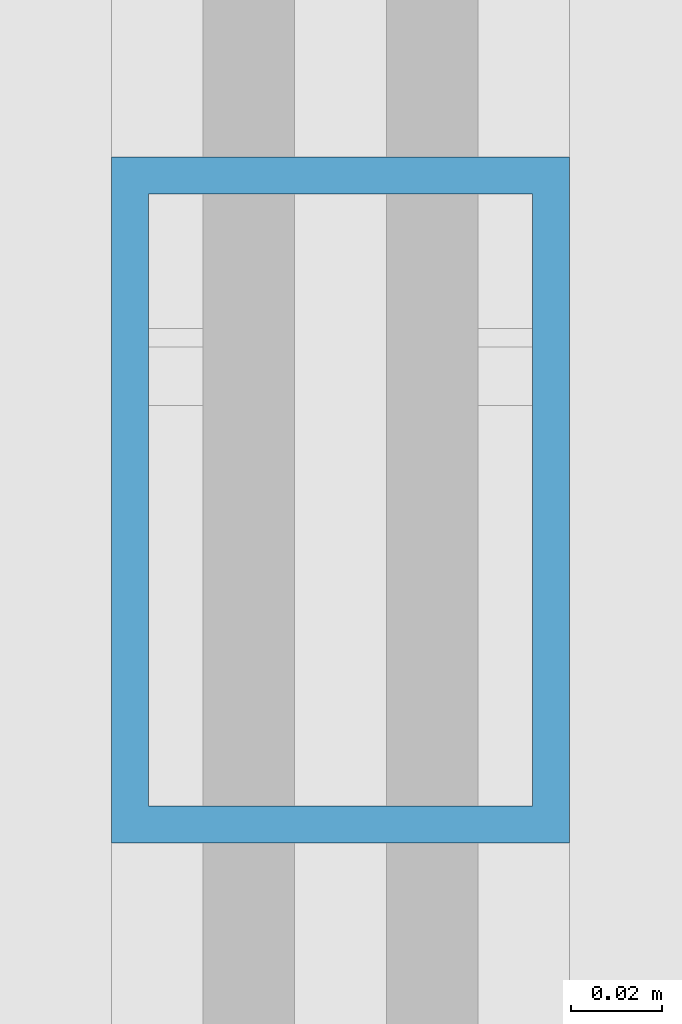
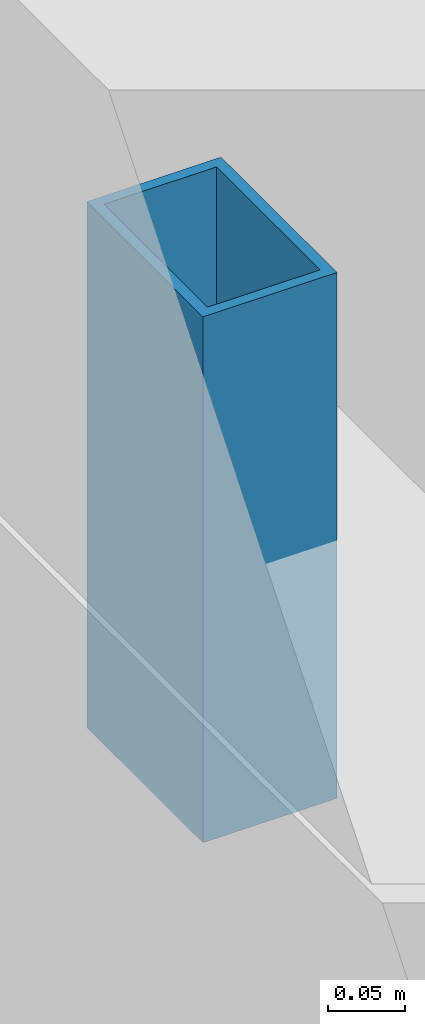
# One storey, part 59 of 138: 1 member.
"""IFC4 building model written with IfcOpenShell, lengths in metres."""

from ifc_helpers import new_model, si_unit, direction, frame, origin, origin_2d, place, context, subcontext, project, spatial, hollow_rectangle, extrude, material, material_profile, profile_set, type_object, element, save


model = new_model("IFC4")

# Units and contexts
model_context = context("Model", 3, precision=1e-05, world=origin(), true_north=direction((0.0, 1.0)))
body_context = subcontext(model_context, "Body", "Model", "MODEL_VIEW")
ifc_project = project(units=[si_unit("LENGTHUNIT", "METRE"), si_unit("AREAUNIT", "SQUARE_METRE"), si_unit("VOLUMEUNIT", "CUBIC_METRE"), si_unit("PLANEANGLEUNIT", "RADIAN"), si_unit("MASSUNIT", "GRAM", prefix="KILO"), si_unit("THERMODYNAMICTEMPERATUREUNIT", "KELVIN"), si_unit("POWERUNIT", "WATT")], contexts=[model_context])

# Site, building, storey
site_placement = place(None, origin())
site = spatial("IfcSite", under=ifc_project, at=site_placement, CompositionType="ELEMENT")
building_placement = place(site_placement, origin())
building = spatial("IfcBuilding", under=site, at=building_placement, Name="Tavuni Mirador Residences", CompositionType="ELEMENT")
storey_placement = place(building_placement, origin())
storey = spatial("IfcBuildingStorey", under=building, at=storey_placement, Name="L00", CompositionType="ELEMENT", Elevation=0.0)

# Member
ifc_material = material(Name="Structural steel S355", Category="steel")
ifc_material_profile = material_profile(ifc_material, hollow_rectangle(XDim=0.10009765625, YDim=0.14990234375, WallThickness=0.008056640625, at=origin_2d()), Name="RHS 150x100x8.0", Category="steel")
ifc_profile_set = profile_set([ifc_material_profile], Name="Structural steel S355")
member_type = type_object("IfcMemberType", Name="MT-BR-RHS150", PredefinedType="BRACE", material=ifc_profile_set)
member_placement = place(storey_placement, frame((118.800048828125, 134.652099609375, 3.615478515625), z_axis=(0.0, 0.0, 1.0), x_axis=(1.0, 0.0, 0.0)))
element("IfcMember", 1, at=member_placement, inside=storey, type_object=member_type, Name="ARCH-BLKD-E-06-V2", PredefinedType="BRACE", context=body_context, shape_type="SweptSolid", body=[
    extrude(hollow_rectangle(XDim=0.10009765625, YDim=0.14990234375, WallThickness=0.008056640625, at=origin_2d()), origin(), (0.0, 0.0, 1.0), 0.41455078125),
])

save(model, "model.ifc")
